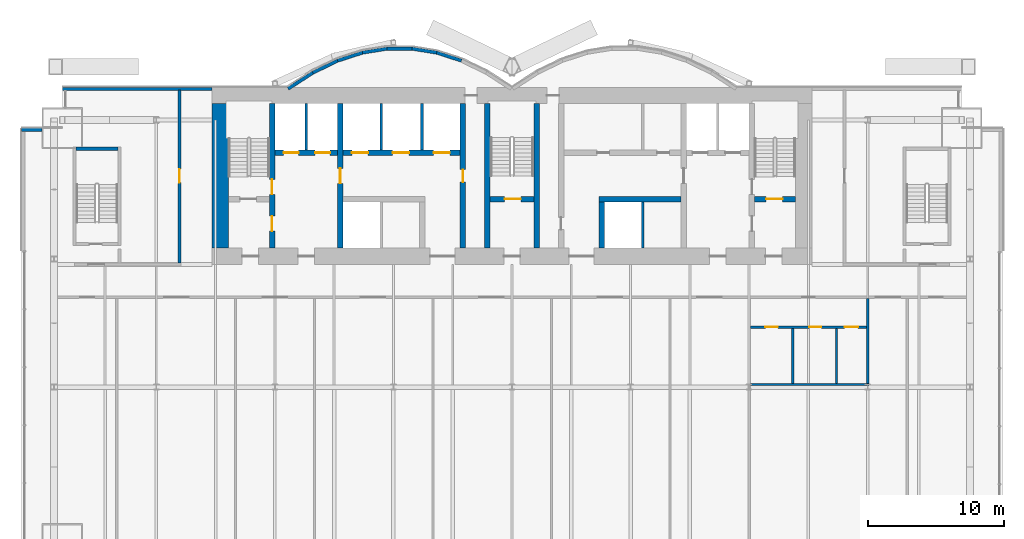
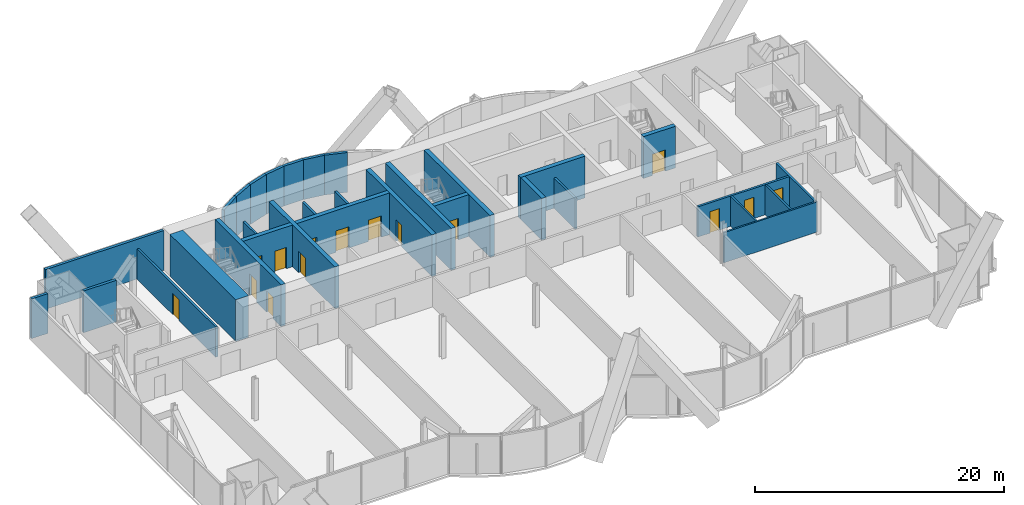
# One storey, part 16 of 21: 31 walls, 15 doors, 15 openings.
"""IFC4 building model written with IfcOpenShell, lengths in metres."""

from ifc_helpers import new_model, si_unit, direction, frame, frame_2d, origin, place, context, subcontext, project, spatial, rectangle, extrude, material, layer, layer_set, layer_usage, type_object, element, fill, save


model = new_model("IFC4")

# Units and contexts
model_context = context("Model", 3, precision=1e-05, world=origin(), true_north=direction((0.0, 1.0)))
body_context = subcontext(model_context, "Body", "Model", "MODEL_VIEW")
ifc_project = project(units=[si_unit("LENGTHUNIT", "METRE"), si_unit("AREAUNIT", "SQUARE_METRE"), si_unit("VOLUMEUNIT", "CUBIC_METRE"), si_unit("PLANEANGLEUNIT", "RADIAN"), si_unit("MASSUNIT", "GRAM", prefix="KILO")], contexts=[model_context])

# Site, building, storey
site_placement = place(None, origin())
site = spatial("IfcSite", under=ifc_project, at=site_placement, CompositionType="ELEMENT")
building_placement = place(site_placement, origin())
building = spatial("IfcBuilding", under=site, at=building_placement, Name="Bicima Exchange Tower", CompositionType="ELEMENT")
storey_placement = place(building_placement, frame((0.0, 0.0, 130.89990234375)))
storey = spatial("IfcBuildingStorey", under=building, at=storey_placement, Name="L28", CompositionType="ELEMENT", Elevation=130.89990234375)

# Walls
ifc_material_1 = material(Name="Gypsum board partition")
ifc_layer_1 = layer(ifc_material_1, 0.199951171875)
ifc_layer_set_1 = layer_set([ifc_layer_1], Name="Gypsum board partition")
wall_type_1 = type_object("IfcWallType", Name="Fire-rated gypsum partition 200 EI120", PredefinedType="PARTITIONING", material=ifc_layer_set_1)
for number, where, z_axis, x_axis, name in (
    (1, (-15.10009765625, -4.60009765625, 0.0), (0.0, 0.0, 1.0), (0.0, 1.0, 0.0), "partition wall 9"),
    (2, (-9.60009765625, -4.60009765625, 0.0), (0.0, 0.0, 1.0), (0.0, 1.0, 0.0), "partition wall 12"),
    (3, (-6.60009765625, -4.60009765625, 0.0), (0.0, 0.0, 1.0), (0.0, 1.0, 0.0), "partition wall 14"),
    (4, (9.60009765625, -11.800048828125, 0.0), (0.0, 0.0, 1.0), (0.0, 1.0, 0.0), "partition wall 20"),
):
    element("IfcWall", number, at=place(storey_placement, frame(where, z_axis=z_axis, x_axis=x_axis)), inside=storey, type_object=wall_type_1, Name=name, PredefinedType="PARTITIONING", context=body_context, shape_type="SweptSolid", body=[
        extrude(rectangle(XDim=3.400146484375, YDim=0.199951171875, at=frame_2d((1.7001953125, 0.0))), origin(), (0.0, 0.0, 1.0), 2.96826171875),
    ])

# Wall, openings, doors
ifc_layer_2 = layer(ifc_material_1, 0.199951171875)
ifc_layer_set_2 = layer_set([ifc_layer_2], Name="Gypsum board partition")
wall_type_2 = type_object("IfcWallType", Name="Fire-rated gypsum partition 200 EI60", PredefinedType="PARTITIONING", material=ifc_layer_set_2)
wall_1_placement = place(storey_placement, frame((17.5, -17.60009765625, 0.0), z_axis=(0.0, 0.0, 1.0), x_axis=(1.0, 0.0, 0.0)))
wall_1 = element("IfcWall", 5, at=wall_1_placement, inside=storey, type_object=wall_type_2, Name="partition wall 2", PredefinedType="PARTITIONING", context=body_context, shape_type="SweptSolid", body=[
    extrude(rectangle(XDim=8.5, YDim=0.199951171875, at=frame_2d((4.25, 0.0))), origin(), (0.0, 0.0, 1.0), 2.96826171875),
])
opening_1_placement = place(wall_1_placement, frame((1.10009765625, 0.0, 0.0)))
opening_1 = element("IfcOpeningElement", 6, at=opening_1_placement, cuts=wall_1, Name="Opening L28-015", PredefinedType="OPENING", context=body_context, shape_type="SweptSolid", body=[
    extrude(rectangle(XDim=0.89990234375, YDim=2.10009765625, at=frame_2d((0.449951171875, 1.050048828125))), frame((0.0, 0.11181640625, 0.0), z_axis=(0.0, -1.0, 0.0), x_axis=(1.0, 0.0, 0.0)), (0.0, 0.0, 1.0), 0.223876953125),
])
opening_2_placement = place(wall_1_placement, frame((4.300048828125, 0.0, 0.0)))
opening_2 = element("IfcOpeningElement", 7, at=opening_2_placement, cuts=wall_1, Name="Opening L28-016", PredefinedType="OPENING", context=body_context, shape_type="SweptSolid", body=[
    extrude(rectangle(XDim=0.89990234375, YDim=2.10009765625, at=frame_2d((0.449951171875, 1.050048828125))), frame((0.0, 0.11181640625, 0.0), z_axis=(0.0, -1.0, 0.0), x_axis=(1.0, 0.0, 0.0)), (0.0, 0.0, 1.0), 0.223876953125),
])
opening_3_placement = place(wall_1_placement, frame((6.89990234375, 0.0, 0.0)))
opening_3 = element("IfcOpeningElement", 8, at=opening_3_placement, cuts=wall_1, Name="Opening L28-017", PredefinedType="OPENING", context=body_context, shape_type="SweptSolid", body=[
    extrude(rectangle(XDim=1.0, YDim=2.10009765625, at=frame_2d((0.5, 1.050048828125))), frame((0.0, 0.11181640625, 0.0), z_axis=(0.0, -1.0, 0.0), x_axis=(1.0, 0.0, 0.0)), (0.0, 0.0, 1.0), 0.223876953125),
])
ifc_material_2 = material(Name="Steel fire door leaf", Category="steel")
door_type_1 = type_object("IfcDoorType", Name="Door 1000 swing FD30S", OperationType="SINGLE_SWING_LEFT", PredefinedType="DOOR", material=ifc_material_2)
door_1_placement = place(opening_3_placement, frame((1.0, 0.0, 0.0), z_axis=(0.0, 0.0, 1.0), x_axis=(-1.0, 0.0, 0.0)))
door_1 = element("IfcDoor", 9, at=door_1_placement, inside=storey, type_object=door_type_1, Name="Door", OperationType="SINGLE_SWING_RIGHT", OverallHeight=2.10009765625, OverallWidth=1.0, PredefinedType="DOOR", context=body_context, shape_type="SweptSolid", body=[
    extrude(rectangle(XDim=1.0, YDim=2.10009765625, at=frame_2d((0.5, 1.050048828125))), frame((0.0, 0.02490234375, 0.0), z_axis=(0.0, -1.0, 0.0), x_axis=(1.0, 0.0, 0.0)), (0.0, 0.0, 1.0), 0.050048828125),
])
fill(opening_3, door_1)
door_type_2 = type_object("IfcDoorType", Name="Door 900 swing FD30S", OperationType="SINGLE_SWING_LEFT", PredefinedType="DOOR", material=ifc_material_2)
door_2_placement = place(opening_1_placement, frame((0.89990234375, 0.0, 0.0), z_axis=(0.0, 0.0, 1.0), x_axis=(-1.0, 0.0, 0.0)))
door_2 = element("IfcDoor", 10, at=door_2_placement, inside=storey, type_object=door_type_2, Name="Door", OperationType="SINGLE_SWING_RIGHT", OverallHeight=2.10009765625, OverallWidth=0.89990234375, PredefinedType="DOOR", context=body_context, shape_type="SweptSolid", body=[
    extrude(rectangle(XDim=0.89990234375, YDim=2.10009765625, at=frame_2d((0.449951171875, 1.050048828125))), frame((0.0, 0.02490234375, 0.0), z_axis=(0.0, -1.0, 0.0), x_axis=(1.0, 0.0, 0.0)), (0.0, 0.0, 1.0), 0.050048828125),
])
fill(opening_1, door_2)
door_3_placement = place(opening_2_placement, frame((0.89990234375, 0.0, 0.0), z_axis=(0.0, 0.0, 1.0), x_axis=(-1.0, 0.0, 0.0)))
door_3 = element("IfcDoor", 11, at=door_3_placement, inside=storey, type_object=door_type_2, Name="Door", OperationType="SINGLE_SWING_LEFT", OverallHeight=2.10009765625, OverallWidth=0.89990234375, PredefinedType="DOOR", context=body_context, shape_type="SweptSolid", body=[
    extrude(rectangle(XDim=0.89990234375, YDim=2.10009765625, at=frame_2d((0.449951171875, 1.050048828125))), frame((0.0, 0.02490234375, 0.0), z_axis=(0.0, -1.0, 0.0), x_axis=(1.0, 0.0, 0.0)), (0.0, 0.0, 1.0), 0.050048828125),
])
fill(opening_2, door_3)

# Wall, opening, door
wall_2_placement = place(storey_placement, frame((-24.39990234375, -12.89990234375, 0.0), z_axis=(0.0, 0.0, 1.0), x_axis=(0.0, 1.0, 0.0)))
wall_2 = element("IfcWall", 12, at=wall_2_placement, inside=storey, type_object=wall_type_2, Name="partition wall 15", PredefinedType="PARTITIONING", context=body_context, shape_type="SweptSolid", body=[
    extrude(rectangle(XDim=12.68994140625, YDim=0.199951171875, at=frame_2d((6.344970703125, 0.0))), origin(), (0.0, 0.0, 1.0), 2.96826171875),
])
opening_4_placement = place(wall_2_placement, frame((5.89990234375, 0.0, 0.0)))
opening_4 = element("IfcOpeningElement", 13, at=opening_4_placement, cuts=wall_2, Name="Opening L28-005", PredefinedType="OPENING", context=body_context, shape_type="SweptSolid", body=[
    extrude(rectangle(XDim=1.0, YDim=2.10009765625, at=frame_2d((0.5, 1.050048828125))), frame((0.0, 0.11181640625, 0.0), z_axis=(0.0, -1.0, 0.0), x_axis=(1.0, 0.0, 0.0)), (0.0, 0.0, 1.0), 0.223876953125),
])
door_4_placement = place(opening_4_placement, origin())
door_4 = element("IfcDoor", 14, at=door_4_placement, inside=storey, type_object=door_type_1, Name="Door", OperationType="SINGLE_SWING_LEFT", OverallHeight=2.10009765625, OverallWidth=1.0, PredefinedType="DOOR", context=body_context, shape_type="SweptSolid", body=[
    extrude(rectangle(XDim=1.0, YDim=2.10009765625, at=frame_2d((0.5, 1.050048828125))), frame((0.0, 0.02490234375, 0.0), z_axis=(0.0, -1.0, 0.0), x_axis=(1.0, 0.0, 0.0)), (0.0, 0.0, 1.0), 0.050048828125),
])
fill(opening_4, door_4)

# Walls
wall_3_placement = place(storey_placement, frame((26.10009765625, -21.72509765625, 0.0), z_axis=(0.0, 0.0, 1.0), x_axis=(0.0, 1.0, 0.0)))
element("IfcWall", 15, at=wall_3_placement, inside=storey, type_object=wall_type_2, Name="partition wall 28", PredefinedType="PARTITIONING", context=body_context, shape_type="SweptSolid", body=[
    extrude(rectangle(XDim=6.22509765625, YDim=0.199951171875, at=frame_2d((3.112548828125, 0.0))), origin(), (0.0, 0.0, 1.0), 2.96826171875),
])
ifc_layer_3 = layer(ifc_material_1, 0.14990234375)
ifc_layer_set_3 = layer_set([ifc_layer_3], Name="Gypsum board partition")
wall_type_3 = type_object("IfcWallType", Name="Gypsum partition 150", PredefinedType="PARTITIONING", material=ifc_layer_set_3)
wall_4_placement = place(storey_placement, frame((17.5, -21.800048828125, 0.0), z_axis=(0.0, 0.0, 1.0), x_axis=(1.0, 0.0, 0.0)))
element("IfcWall", 16, at=wall_4_placement, inside=storey, type_object=wall_type_3, Name="partition wall 1", PredefinedType="PARTITIONING", context=body_context, shape_type="SweptSolid", body=[
    extrude(rectangle(XDim=8.699951171875, YDim=0.14990234375, at=frame_2d((4.35009765625, 0.0))), origin(), (0.0, 0.0, 1.0), 2.96826171875),
])
for number, where, z_axis, x_axis, name in (
    (17, (20.60009765625, -21.72509765625, 0.0), (0.0, 0.0, 1.0), (0.0, 1.0, 0.0), "partition wall 25"),
    (18, (23.800048828125, -21.72509765625, 0.0), (0.0, 0.0, 1.0), (0.0, 1.0, 0.0), "partition wall 26"),
):
    element("IfcWall", number, at=place(storey_placement, frame(where, z_axis=z_axis, x_axis=x_axis)), inside=storey, type_object=wall_type_3, Name=name, PredefinedType="PARTITIONING", context=body_context, shape_type="SweptSolid", body=[
        extrude(rectangle(XDim=4.025146484375, YDim=0.14990234375, at=frame_2d((2.0126953125, 0.0))), origin(), (0.0, 0.0, 1.0), 2.96826171875),
    ])
ifc_material_3 = material(Name="Concrete C60/75", Category="concrete")
ifc_layer_4 = layer(ifc_material_3, 1.199951171875)
ifc_layer_set_4 = layer_set([ifc_layer_4], Name="Concrete C60/75")
wall_type_4 = type_object("IfcWallType", Name="RC core wall 1200 C60/75", PredefinedType="SHEAR", material=ifc_layer_set_4)
wall_5_placement = place(storey_placement, frame((-21.39990234375, -11.800048828125, 0.0), z_axis=(0.0, 0.0, 1.0), x_axis=(0.0, 1.0, 0.0)))
element("IfcWall", 19, at=wall_5_placement, inside=storey, type_object=wall_type_4, Name="Core wall west", PredefinedType="SHEAR", context=body_context, shape_type="SweptSolid", body=[
    extrude(rectangle(XDim=10.60009765625, YDim=1.199951171875, at=frame_2d((5.300048828125, 0.0))), origin(), (0.0, 0.0, 1.0), 4.10009765625),
])

# Wall, opening, door
ifc_material_4 = material(Name="Concrete C50/60", Category="concrete")
ifc_layer_5 = layer(ifc_material_4, 0.39990234375)
ifc_layer_set_5 = layer_set([ifc_layer_5], Name="Concrete C50/60")
wall_type_5 = type_object("IfcWallType", Name="RC core wall 400 C50/60", PredefinedType="SHEAR", material=ifc_layer_set_5)
wall_6_placement = place(storey_placement, frame((-1.60009765625, -8.199951171875, 0.0), z_axis=(0.0, 0.0, 1.0), x_axis=(1.0, 0.0, 0.0)))
wall_6 = element("IfcWall", 20, at=wall_6_placement, inside=storey, type_object=wall_type_5, Name="stair wall 3", PredefinedType="SHEAR", context=body_context, shape_type="SweptSolid", body=[
    extrude(rectangle(XDim=3.2001953125, YDim=0.39990234375, at=frame_2d((1.60009765625, 0.0))), origin(), (0.0, 0.0, 1.0), 4.10009765625),
])
opening_5_placement = place(wall_6_placement, frame((1.050048828125, 0.0, 0.0)))
opening_5 = element("IfcOpeningElement", 21, at=opening_5_placement, cuts=wall_6, Name="Opening L28-C03", PredefinedType="OPENING", context=body_context, shape_type="SweptSolid", body=[
    extrude(rectangle(XDim=1.199951171875, YDim=2.10009765625, at=frame_2d((0.60009765625, 1.050048828125))), frame((0.0, 0.2119140625, 0.0), z_axis=(0.0, -1.0, 0.0), x_axis=(1.0, 0.0, 0.0)), (0.0, 0.0, 1.0), 0.423828125),
])
door_type_3 = type_object("IfcDoorType", Name="Door 1200 swing FD60S", OperationType="SINGLE_SWING_LEFT", PredefinedType="DOOR", material=ifc_material_2)
door_5_placement = place(opening_5_placement, origin())
door_5 = element("IfcDoor", 22, at=door_5_placement, inside=storey, type_object=door_type_3, Name="Core door", OperationType="SINGLE_SWING_LEFT", OverallHeight=2.10009765625, OverallWidth=1.199951171875, PredefinedType="DOOR", context=body_context, shape_type="SweptSolid", body=[
    extrude(rectangle(XDim=1.199951171875, YDim=2.10009765625, at=frame_2d((0.60009765625, 1.050048828125))), frame((0.0, 0.02490234375, 0.0), z_axis=(0.0, -1.0, 0.0), x_axis=(1.0, 0.0, 0.0)), (0.0, 0.0, 1.0), 0.050048828125),
])
fill(opening_5, door_5)

wall_7_placement = place(storey_placement, frame((17.800048828125, -8.199951171875, 0.0), z_axis=(0.0, 0.0, 1.0), x_axis=(1.0, 0.0, 0.0)))
wall_7 = element("IfcWall", 23, at=wall_7_placement, inside=storey, type_object=wall_type_5, Name="stair wall 5", PredefinedType="SHEAR", context=body_context, shape_type="SweptSolid", body=[
    extrude(rectangle(XDim=3.0, YDim=0.39990234375, at=frame_2d((1.5, 0.0))), origin(), (0.0, 0.0, 1.0), 4.10009765625),
])
opening_6_placement = place(wall_7_placement, frame((0.85009765625, 0.0, 0.0)))
opening_6 = element("IfcOpeningElement", 24, at=opening_6_placement, cuts=wall_7, Name="Opening L28-C04", PredefinedType="OPENING", context=body_context, shape_type="SweptSolid", body=[
    extrude(rectangle(XDim=1.199951171875, YDim=2.10009765625, at=frame_2d((0.60009765625, 1.050048828125))), frame((0.0, 0.2119140625, 0.0), z_axis=(0.0, -1.0, 0.0), x_axis=(1.0, 0.0, 0.0)), (0.0, 0.0, 1.0), 0.423828125),
])
door_6_placement = place(opening_6_placement, origin())
door_6 = element("IfcDoor", 25, at=door_6_placement, inside=storey, type_object=door_type_3, Name="Core door", OperationType="SINGLE_SWING_RIGHT", OverallHeight=2.10009765625, OverallWidth=1.199951171875, PredefinedType="DOOR", context=body_context, shape_type="SweptSolid", body=[
    extrude(rectangle(XDim=1.199951171875, YDim=2.10009765625, at=frame_2d((0.60009765625, 1.050048828125))), frame((0.0, 0.02490234375, 0.0), z_axis=(0.0, -1.0, 0.0), x_axis=(1.0, 0.0, 0.0)), (0.0, 0.0, 1.0), 0.050048828125),
])
fill(opening_6, door_6)

# Wall, openings, doors
wall_8_placement = place(storey_placement, frame((-17.60009765625, -11.800048828125, 0.0), z_axis=(0.0, 0.0, 1.0), x_axis=(0.0, 1.0, 0.0)))
wall_8 = element("IfcWall", 26, at=wall_8_placement, inside=storey, type_object=wall_type_5, Name="stair wall 8", PredefinedType="SHEAR", context=body_context, shape_type="SweptSolid", body=[
    extrude(rectangle(XDim=10.60009765625, YDim=0.39990234375, at=frame_2d((5.300048828125, 0.0))), origin(), (0.0, 0.0, 1.0), 4.10009765625),
])
opening_7_placement = place(wall_8_placement, frame((1.25, 0.0, 0.0)))
opening_7 = element("IfcOpeningElement", 27, at=opening_7_placement, cuts=wall_8, Name="Opening L28-C02", PredefinedType="OPENING", context=body_context, shape_type="SweptSolid", body=[
    extrude(rectangle(XDim=1.10009765625, YDim=2.10009765625, at=frame_2d((0.550048828125, 1.050048828125))), frame((0.0, 0.2119140625, 0.0), z_axis=(0.0, -1.0, 0.0), x_axis=(1.0, 0.0, 0.0)), (0.0, 0.0, 1.0), 0.423828125),
])
opening_8_placement = place(wall_8_placement, frame((3.949951171875, 0.0, 0.0)))
opening_8 = element("IfcOpeningElement", 28, at=opening_8_placement, cuts=wall_8, Name="Opening L28-C06", PredefinedType="OPENING", context=body_context, shape_type="SweptSolid", body=[
    extrude(rectangle(XDim=1.10009765625, YDim=2.10009765625, at=frame_2d((0.550048828125, 1.050048828125))), frame((0.0, 0.2119140625, 0.0), z_axis=(0.0, -1.0, 0.0), x_axis=(1.0, 0.0, 0.0)), (0.0, 0.0, 1.0), 0.423828125),
])
door_type_4 = type_object("IfcDoorType", Name="Door 1100 swing FD60S", OperationType="SINGLE_SWING_LEFT", PredefinedType="DOOR", material=ifc_material_2)
door_7_placement = place(opening_7_placement, frame((1.10009765625, 0.0, 0.0), z_axis=(0.0, 0.0, 1.0), x_axis=(-1.0, 0.0, 0.0)))
door_7 = element("IfcDoor", 29, at=door_7_placement, inside=storey, type_object=door_type_4, Name="Core door", OperationType="SINGLE_SWING_LEFT", OverallHeight=2.10009765625, OverallWidth=1.10009765625, PredefinedType="DOOR", context=body_context, shape_type="SweptSolid", body=[
    extrude(rectangle(XDim=1.10009765625, YDim=2.10009765625, at=frame_2d((0.550048828125, 1.050048828125))), frame((0.0, 0.02490234375, 0.0), z_axis=(0.0, -1.0, 0.0), x_axis=(1.0, 0.0, 0.0)), (0.0, 0.0, 1.0), 0.050048828125),
])
fill(opening_7, door_7)
door_8_placement = place(opening_8_placement, frame((1.10009765625, 0.0, 0.0), z_axis=(0.0, 0.0, 1.0), x_axis=(-1.0, 0.0, 0.0)))
door_8 = element("IfcDoor", 30, at=door_8_placement, inside=storey, type_object=door_type_4, Name="Core door", OperationType="SINGLE_SWING_LEFT", OverallHeight=2.10009765625, OverallWidth=1.10009765625, PredefinedType="DOOR", context=body_context, shape_type="SweptSolid", body=[
    extrude(rectangle(XDim=1.10009765625, YDim=2.10009765625, at=frame_2d((0.550048828125, 1.050048828125))), frame((0.0, 0.02490234375, 0.0), z_axis=(0.0, -1.0, 0.0), x_axis=(1.0, 0.0, 0.0)), (0.0, 0.0, 1.0), 0.050048828125),
])
fill(opening_8, door_8)

# Walls
for number, where, z_axis, x_axis, name in (
    (31, (-1.800048828125, -11.800048828125, 0.0), (0.0, 0.0, 1.0), (0.0, 1.0, 0.0), "stair wall 16"),
    (32, (1.800048828125, -11.800048828125, 0.0), (0.0, 0.0, 1.0), (0.0, 1.0, 0.0), "stair wall 17"),
):
    element("IfcWall", number, at=place(storey_placement, frame(where, z_axis=z_axis, x_axis=x_axis)), inside=storey, type_object=wall_type_5, Name=name, PredefinedType="SHEAR", context=body_context, shape_type="SweptSolid", body=[
        extrude(rectangle(XDim=10.60009765625, YDim=0.39990234375, at=frame_2d((5.300048828125, 0.0))), origin(), (0.0, 0.0, 1.0), 4.10009765625),
    ])
ifc_layer_6 = layer(ifc_material_3, 0.39990234375)
ifc_layer_set_6 = layer_set([ifc_layer_6], Name="Concrete C60/75")
wall_type_6 = type_object("IfcWallType", Name="RC core wall 400 C60/75", PredefinedType="SHEAR", material=ifc_layer_set_6)
wall_9_placement = place(storey_placement, frame((6.39990234375, -8.199951171875, 0.0), z_axis=(0.0, 0.0, 1.0), x_axis=(1.0, 0.0, 0.0)))
element("IfcWall", 33, at=wall_9_placement, inside=storey, type_object=wall_type_6, Name="shear wall 4", PredefinedType="SHEAR", context=body_context, shape_type="SweptSolid", body=[
    extrude(rectangle(XDim=6.0, YDim=0.39990234375, at=frame_2d((3.0, 0.0))), origin(), (0.0, 0.0, 1.0), 4.10009765625),
])

# Wall, openings, doors
wall_10_placement = place(storey_placement, frame((-17.39990234375, -4.800048828125, 0.0), z_axis=(0.0, 0.0, 1.0), x_axis=(1.0, 0.0, 0.0)))
wall_10 = element("IfcWall", 34, at=wall_10_placement, inside=storey, type_object=wall_type_6, Name="shear wall 6", PredefinedType="SHEAR", context=body_context, shape_type="SweptSolid", body=[
    extrude(rectangle(XDim=13.599853515625, YDim=0.39990234375, at=frame_2d((6.7998046875, 0.0))), origin(), (0.0, 0.0, 1.0), 4.10009765625),
])
opening_9_placement = place(wall_10_placement, frame((0.64990234375, 0.0, 0.0)))
opening_9 = element("IfcOpeningElement", 35, at=opening_9_placement, cuts=wall_10, Name="Opening LD-FF1-L28", PredefinedType="OPENING", context=body_context, shape_type="SweptSolid", body=[
    extrude(rectangle(XDim=1.10009765625, YDim=2.10009765625, at=frame_2d((0.550048828125, 1.050048828125))), frame((0.0, 0.2119140625, 0.0), z_axis=(0.0, -1.0, 0.0), x_axis=(1.0, 0.0, 0.0)), (0.0, 0.0, 1.0), 0.423828125),
])
opening_10_placement = place(wall_10_placement, frame((2.949951171875, 0.0, 0.0)))
opening_10 = element("IfcOpeningElement", 36, at=opening_10_placement, cuts=wall_10, Name="Opening LD-FF3-L28", PredefinedType="OPENING", context=body_context, shape_type="SweptSolid", body=[
    extrude(rectangle(XDim=1.10009765625, YDim=2.10009765625, at=frame_2d((0.550048828125, 1.050048828125))), frame((0.0, 0.2119140625, 0.0), z_axis=(0.0, -1.0, 0.0), x_axis=(1.0, 0.0, 0.0)), (0.0, 0.0, 1.0), 0.423828125),
])
opening_11_placement = place(wall_10_placement, frame((5.64990234375, 0.0, 0.0)))
opening_11 = element("IfcOpeningElement", 37, at=opening_11_placement, cuts=wall_10, Name="Opening LD-LB1-L28", PredefinedType="OPENING", context=body_context, shape_type="SweptSolid", body=[
    extrude(rectangle(XDim=1.199951171875, YDim=2.10009765625, at=frame_2d((0.60009765625, 1.050048828125))), frame((0.0, 0.2119140625, 0.0), z_axis=(0.0, -1.0, 0.0), x_axis=(1.0, 0.0, 0.0)), (0.0, 0.0, 1.0), 0.423828125),
])
opening_12_placement = place(wall_10_placement, frame((8.64990234375, 0.0, 0.0)))
opening_12 = element("IfcOpeningElement", 38, at=opening_12_placement, cuts=wall_10, Name="Opening LD-LB2-L28", PredefinedType="OPENING", context=body_context, shape_type="SweptSolid", body=[
    extrude(rectangle(XDim=1.199951171875, YDim=2.10009765625, at=frame_2d((0.60009765625, 1.050048828125))), frame((0.0, 0.2119140625, 0.0), z_axis=(0.0, -1.0, 0.0), x_axis=(1.0, 0.0, 0.0)), (0.0, 0.0, 1.0), 0.423828125),
])
opening_13_placement = place(wall_10_placement, frame((11.64990234375, 0.0, 0.0)))
opening_13 = element("IfcOpeningElement", 39, at=opening_13_placement, cuts=wall_10, Name="Opening LD-LB3-L28", PredefinedType="OPENING", context=body_context, shape_type="SweptSolid", body=[
    extrude(rectangle(XDim=1.199951171875, YDim=2.10009765625, at=frame_2d((0.60009765625, 1.050048828125))), frame((0.0, 0.2119140625, 0.0), z_axis=(0.0, -1.0, 0.0), x_axis=(1.0, 0.0, 0.0)), (0.0, 0.0, 1.0), 0.423828125),
])
ifc_material_5 = material(Name="Stainless steel", Category="steel")
door_type_5 = type_object("IfcDoorType", Name="Lift landing door 1100 sliding", OperationType="DOUBLE_DOOR_SLIDING", PredefinedType="DOOR", material=ifc_material_5)
door_9_placement = place(opening_9_placement, origin())
door_9 = element("IfcDoor", 40, at=door_9_placement, inside=storey, type_object=door_type_5, Name="Lift landing door FF1", OperationType="DOUBLE_DOOR_SLIDING", OverallHeight=2.10009765625, OverallWidth=1.10009765625, PredefinedType="DOOR", context=body_context, shape_type="SweptSolid", body=[
    extrude(rectangle(XDim=1.10009765625, YDim=2.10009765625, at=frame_2d((0.550048828125, 1.050048828125))), frame((0.0, 0.02490234375, 0.0), z_axis=(0.0, -1.0, 0.0), x_axis=(1.0, 0.0, 0.0)), (0.0, 0.0, 1.0), 0.050048828125),
])
fill(opening_9, door_9)
door_10_placement = place(opening_10_placement, origin())
door_10 = element("IfcDoor", 41, at=door_10_placement, inside=storey, type_object=door_type_5, Name="Lift landing door FF3", OperationType="DOUBLE_DOOR_SLIDING", OverallHeight=2.10009765625, OverallWidth=1.10009765625, PredefinedType="DOOR", context=body_context, shape_type="SweptSolid", body=[
    extrude(rectangle(XDim=1.10009765625, YDim=2.10009765625, at=frame_2d((0.550048828125, 1.050048828125))), frame((0.0, 0.02490234375, 0.0), z_axis=(0.0, -1.0, 0.0), x_axis=(1.0, 0.0, 0.0)), (0.0, 0.0, 1.0), 0.050048828125),
])
fill(opening_10, door_10)
door_type_6 = type_object("IfcDoorType", Name="Lift landing door 1200 sliding", OperationType="DOUBLE_DOOR_SLIDING", PredefinedType="DOOR", material=ifc_material_5)
door_11_placement = place(opening_11_placement, origin())
door_11 = element("IfcDoor", 42, at=door_11_placement, inside=storey, type_object=door_type_6, Name="Lift landing door LB1", OperationType="DOUBLE_DOOR_SLIDING", OverallHeight=2.10009765625, OverallWidth=1.199951171875, PredefinedType="DOOR", context=body_context, shape_type="SweptSolid", body=[
    extrude(rectangle(XDim=1.199951171875, YDim=2.10009765625, at=frame_2d((0.60009765625, 1.050048828125))), frame((0.0, 0.02490234375, 0.0), z_axis=(0.0, -1.0, 0.0), x_axis=(1.0, 0.0, 0.0)), (0.0, 0.0, 1.0), 0.050048828125),
])
fill(opening_11, door_11)
door_12_placement = place(opening_12_placement, origin())
door_12 = element("IfcDoor", 43, at=door_12_placement, inside=storey, type_object=door_type_6, Name="Lift landing door LB2", OperationType="DOUBLE_DOOR_SLIDING", OverallHeight=2.10009765625, OverallWidth=1.199951171875, PredefinedType="DOOR", context=body_context, shape_type="SweptSolid", body=[
    extrude(rectangle(XDim=1.199951171875, YDim=2.10009765625, at=frame_2d((0.60009765625, 1.050048828125))), frame((0.0, 0.02490234375, 0.0), z_axis=(0.0, -1.0, 0.0), x_axis=(1.0, 0.0, 0.0)), (0.0, 0.0, 1.0), 0.050048828125),
])
fill(opening_12, door_12)
door_13_placement = place(opening_13_placement, origin())
door_13 = element("IfcDoor", 44, at=door_13_placement, inside=storey, type_object=door_type_6, Name="Lift landing door LB3", OperationType="DOUBLE_DOOR_SLIDING", OverallHeight=2.10009765625, OverallWidth=1.199951171875, PredefinedType="DOOR", context=body_context, shape_type="SweptSolid", body=[
    extrude(rectangle(XDim=1.199951171875, YDim=2.10009765625, at=frame_2d((0.60009765625, 1.050048828125))), frame((0.0, 0.02490234375, 0.0), z_axis=(0.0, -1.0, 0.0), x_axis=(1.0, 0.0, 0.0)), (0.0, 0.0, 1.0), 0.050048828125),
])
fill(opening_13, door_13)

# Wall, opening, door
wall_11_placement = place(storey_placement, frame((-12.60009765625, -11.800048828125, 0.0), z_axis=(0.0, 0.0, 1.0), x_axis=(0.0, 1.0, 0.0)))
wall_11 = element("IfcWall", 45, at=wall_11_placement, inside=storey, type_object=wall_type_6, Name="shear wall 10", PredefinedType="SHEAR", context=body_context, shape_type="SweptSolid", body=[
    extrude(rectangle(XDim=10.60009765625, YDim=0.39990234375, at=frame_2d((5.300048828125, 0.0))), origin(), (0.0, 0.0, 1.0), 4.10009765625),
])
opening_14_placement = place(wall_11_placement, frame((4.75, 0.0, 0.0)))
opening_14 = element("IfcOpeningElement", 46, at=opening_14_placement, cuts=wall_11, Name="Opening L28-C07", PredefinedType="OPENING", context=body_context, shape_type="SweptSolid", body=[
    extrude(rectangle(XDim=1.10009765625, YDim=2.10009765625, at=frame_2d((0.550048828125, 1.050048828125))), frame((0.0, 0.2119140625, 0.0), z_axis=(0.0, -1.0, 0.0), x_axis=(1.0, 0.0, 0.0)), (0.0, 0.0, 1.0), 0.423828125),
])
door_14_placement = place(opening_14_placement, origin())
door_14 = element("IfcDoor", 47, at=door_14_placement, inside=storey, type_object=door_type_4, Name="Core door", OperationType="SINGLE_SWING_LEFT", OverallHeight=2.10009765625, OverallWidth=1.10009765625, PredefinedType="DOOR", context=body_context, shape_type="SweptSolid", body=[
    extrude(rectangle(XDim=1.10009765625, YDim=2.10009765625, at=frame_2d((0.550048828125, 1.050048828125))), frame((0.0, 0.02490234375, 0.0), z_axis=(0.0, -1.0, 0.0), x_axis=(1.0, 0.0, 0.0)), (0.0, 0.0, 1.0), 0.050048828125),
])
fill(opening_14, door_14)

wall_12_placement = place(storey_placement, frame((-3.60009765625, -11.800048828125, 0.0), z_axis=(0.0, 0.0, 1.0), x_axis=(0.0, 1.0, 0.0)))
wall_12 = element("IfcWall", 48, at=wall_12_placement, inside=storey, type_object=wall_type_6, Name="shear wall 15", PredefinedType="SHEAR", context=body_context, shape_type="SweptSolid", body=[
    extrude(rectangle(XDim=10.60009765625, YDim=0.39990234375, at=frame_2d((5.300048828125, 0.0))), origin(), (0.0, 0.0, 1.0), 4.10009765625),
])
opening_15_placement = place(wall_12_placement, frame((4.85009765625, 0.0, 0.0)))
opening_15 = element("IfcOpeningElement", 49, at=opening_15_placement, cuts=wall_12, Name="Opening L28-C10", PredefinedType="OPENING", context=body_context, shape_type="SweptSolid", body=[
    extrude(rectangle(XDim=0.89990234375, YDim=2.10009765625, at=frame_2d((0.449951171875, 1.050048828125))), frame((0.0, 0.2119140625, 0.0), z_axis=(0.0, -1.0, 0.0), x_axis=(1.0, 0.0, 0.0)), (0.0, 0.0, 1.0), 0.423828125),
])
door_15_placement = place(opening_15_placement, frame((0.89990234375, 0.0, 0.0), z_axis=(0.0, 0.0, 1.0), x_axis=(-1.0, 0.0, 0.0)))
door_15 = element("IfcDoor", 50, at=door_15_placement, inside=storey, type_object=door_type_2, Name="Core door", OperationType="SINGLE_SWING_LEFT", OverallHeight=2.10009765625, OverallWidth=0.89990234375, PredefinedType="DOOR", context=body_context, shape_type="SweptSolid", body=[
    extrude(rectangle(XDim=0.89990234375, YDim=2.10009765625, at=frame_2d((0.449951171875, 1.050048828125))), frame((0.0, 0.02490234375, 0.0), z_axis=(0.0, -1.0, 0.0), x_axis=(1.0, 0.0, 0.0)), (0.0, 0.0, 1.0), 0.050048828125),
])
fill(opening_15, door_15)

# Walls
wall_13_placement = place(storey_placement, frame((6.60009765625, -11.800048828125, 0.0), z_axis=(0.0, 0.0, 1.0), x_axis=(0.0, 1.0, 0.0)))
element("IfcWall", 51, at=wall_13_placement, inside=storey, type_object=wall_type_6, Name="shear wall 19", PredefinedType="SHEAR", context=body_context, shape_type="SweptSolid", body=[
    extrude(rectangle(XDim=3.400146484375, YDim=0.39990234375, at=frame_2d((1.7001953125, 0.0))), origin(), (0.0, 0.0, 1.0), 4.10009765625),
])
ifc_layer_7 = layer(ifc_material_4, 0.25)
ifc_layer_set_7 = layer_set([ifc_layer_7], Name="Concrete C50/60")
wall_type_7 = type_object("IfcWallType", Name="RC stair enclosure wall 250 C50/60", PredefinedType="SHEAR", material=ifc_layer_set_7)
wall_14_placement = place(storey_placement, frame((-31.97509765625, -4.5, 0.0), z_axis=(0.0, 0.0, 1.0), x_axis=(1.0, 0.0, 0.0)))
element("IfcWall", 52, at=wall_14_placement, inside=storey, type_object=wall_type_7, Name="West end exit stair wall N", PredefinedType="SHEAR", context=body_context, shape_type="SweptSolid", body=[
    extrude(rectangle(XDim=3.050048828125, YDim=0.25, at=frame_2d((1.52490234375, 0.0))), origin(), (0.0, 0.0, 1.0), 4.10009765625),
])
ifc_material_6 = material(Name="Concrete C40/50", Category="concrete")
ifc_layer_8 = layer(ifc_material_6, 0.25)
ifc_layer_set_8 = layer_set([ifc_layer_8], Name="Concrete C40/50")
ifc_layer_usage = layer_usage(ifc_layer_set_8, "AXIS2", "POSITIVE", -0.125)
wall_type_8 = type_object("IfcWallType", Name="Rear backup wall 250", PredefinedType="STANDARD", material=ifc_layer_set_8)
wall_15_placement = place(storey_placement, frame((-3.705078125, 1.955078125, 0.0), z_axis=(0.0, 0.0, 1.0), x_axis=(-0.951495806175, 0.307661714928, 0.0)))
element("IfcWall", 53, at=wall_15_placement, inside=storey, type_object=wall_type_8, material=ifc_layer_usage, Name="Rear backup wall L28 13", PredefinedType="STANDARD", context=body_context, shape_type="SweptSolid", body=[
    extrude(rectangle(XDim=1.9267578125, YDim=0.25, at=frame_2d((0.96337890625, 0.0))), origin(), (0.0, 0.0, 1.0), 3.900146484375),
])
wall_16_placement = place(storey_placement, frame((-5.52001953125, 2.543212890625, 0.0), z_axis=(0.0, 0.0, 1.0), x_axis=(-0.987181718931, 0.159600293885, 0.0)))
element("IfcWall", 54, at=wall_16_placement, inside=storey, type_object=wall_type_8, material=ifc_layer_usage, Name="Rear backup wall L28 14", PredefinedType="STANDARD", context=body_context, shape_type="SweptSolid", body=[
    extrude(rectangle(XDim=1.857177734375, YDim=0.25, at=frame_2d((0.9287109375, 0.0))), origin(), (0.0, 0.0, 1.0), 3.900146484375),
])
wall_17_placement = place(storey_placement, frame((-7.333251953125, 2.837890625, 0.0), z_axis=(0.0, 0.0, 1.0), x_axis=(-1.0, 0.0, 0.0)))
element("IfcWall", 55, at=wall_17_placement, inside=storey, type_object=wall_type_8, material=ifc_layer_usage, Name="Rear backup wall L28 15", PredefinedType="STANDARD", context=body_context, shape_type="SweptSolid", body=[
    extrude(rectangle(XDim=1.83349609375, YDim=0.25, at=frame_2d((0.916748046875, 0.0))), origin(), (0.0, 0.0, 1.0), 3.900146484375),
])
wall_18_placement = place(storey_placement, frame((-9.146728515625, 2.839599609375, 0.0), z_axis=(0.0, 0.0, 1.0), x_axis=(-0.987181718931, -0.159600293885, 0.0)))
element("IfcWall", 56, at=wall_18_placement, inside=storey, type_object=wall_type_8, material=ifc_layer_usage, Name="Rear backup wall L28 16", PredefinedType="STANDARD", context=body_context, shape_type="SweptSolid", body=[
    extrude(rectangle(XDim=1.857177734375, YDim=0.25, at=frame_2d((0.9287109375, 0.0))), origin(), (0.0, 0.0, 1.0), 3.900146484375),
])
wall_19_placement = place(storey_placement, frame((-10.961669921875, 2.5478515625, 0.0), z_axis=(0.0, 0.0, 1.0), x_axis=(-0.951495806175, -0.307661714928, 0.0)))
element("IfcWall", 57, at=wall_19_placement, inside=storey, type_object=wall_type_8, material=ifc_layer_usage, Name="Rear backup wall L28 17", PredefinedType="STANDARD", context=body_context, shape_type="SweptSolid", body=[
    extrude(rectangle(XDim=1.9267578125, YDim=0.25, at=frame_2d((0.96337890625, 0.0))), origin(), (0.0, 0.0, 1.0), 3.900146484375),
])
wall_20_placement = place(storey_placement, frame((-12.77880859375, 1.961669921875, 0.0), z_axis=(0.0, 0.0, 1.0), x_axis=(-0.89982408427, -0.436252928206, 0.0)))
element("IfcWall", 58, at=wall_20_placement, inside=storey, type_object=wall_type_8, material=ifc_layer_usage, Name="Rear backup wall L28 18", PredefinedType="STANDARD", context=body_context, shape_type="SweptSolid", body=[
    extrude(rectangle(XDim=2.03759765625, YDim=0.25, at=frame_2d((1.018798828125, 0.0))), origin(), (0.0, 0.0, 1.0), 3.900146484375),
])
wall_21_placement = place(storey_placement, frame((-14.598876953125, 1.080078125, 0.0), z_axis=(0.0, 0.0, 1.0), x_axis=(-0.83981312244, -0.542875602121, 0.0)))
element("IfcWall", 59, at=wall_21_placement, inside=storey, type_object=wall_type_8, material=ifc_layer_usage, Name="Rear backup wall L28 19", PredefinedType="STANDARD", context=body_context, shape_type="SweptSolid", body=[
    extrude(rectangle(XDim=2.182861328125, YDim=0.25, at=frame_2d((1.09130859375, 0.0))), origin(), (0.0, 0.0, 1.0), 3.900146484375),
])
wall_22_placement = place(storey_placement, frame((-22.0, -0.125, 0.0), z_axis=(0.0, 0.0, 1.0), x_axis=(-1.0, 0.0, 0.0)))
element("IfcWall", 60, at=wall_22_placement, inside=storey, type_object=wall_type_8, material=ifc_layer_usage, Name="Rear backup wall L28 20", PredefinedType="STANDARD", context=body_context, shape_type="SweptSolid", body=[
    extrude(rectangle(XDim=11.0, YDim=0.25, at=frame_2d((5.5, 0.0))), origin(), (0.0, 0.0, 1.0), 3.900146484375),
])
wall_23_placement = place(storey_placement, frame((-34.5, -3.125, 0.0), z_axis=(0.0, 0.0, 1.0), x_axis=(-1.0, 0.0, 0.0)))
element("IfcWall", 61, at=wall_23_placement, inside=storey, type_object=wall_type_8, material=ifc_layer_usage, Name="Rear backup wall L28 22", PredefinedType="STANDARD", context=body_context, shape_type="SweptSolid", body=[
    extrude(rectangle(XDim=1.5, YDim=0.25, at=frame_2d((0.75, 0.0))), origin(), (0.0, 0.0, 1.0), 3.900146484375),
])

save(model, "model.ifc")
